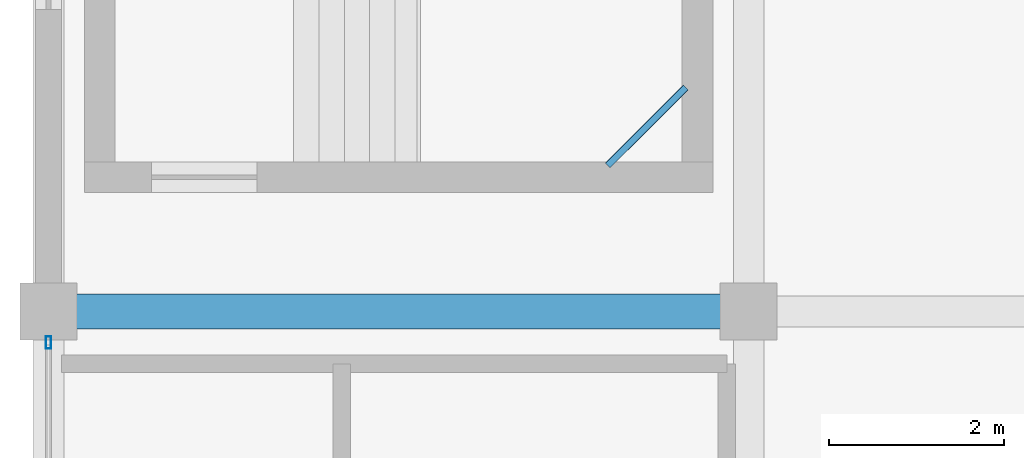
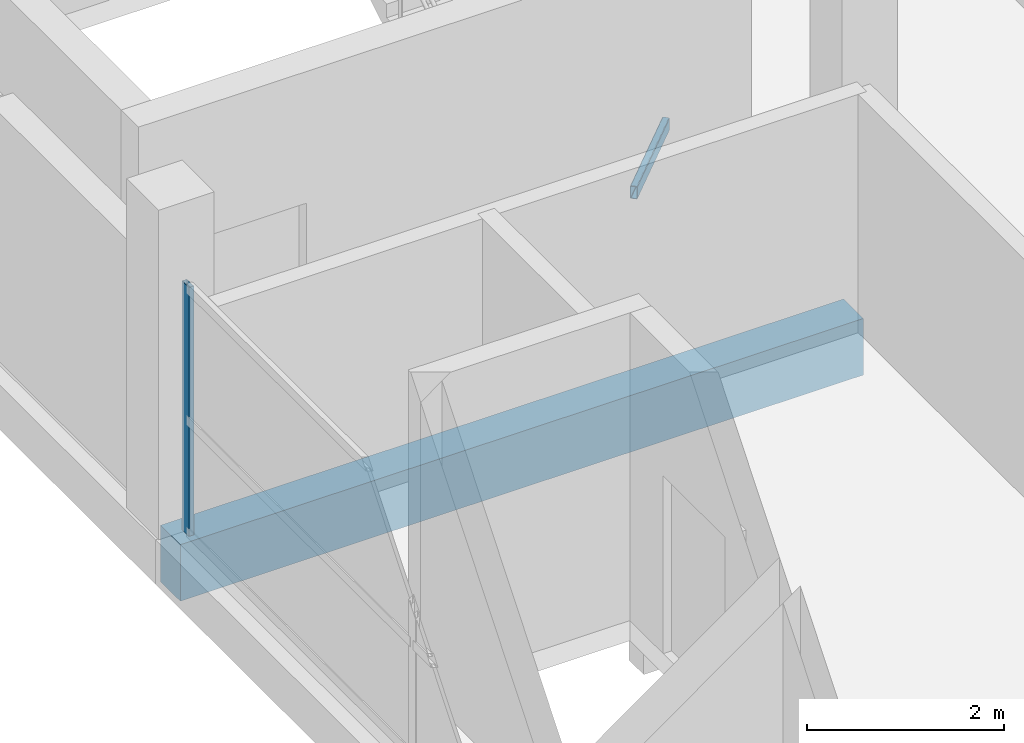
# One storey, part 26 of 53: 2 beams, 1 member, 1 element without a shape of its own.
"""IFC4 building model written with IfcOpenShell, lengths in metres."""

from ifc_helpers import new_model, si_unit, direction, frame, origin, origin_2d, place, context, subcontext, project, spatial, rectangle, hollow_rectangle, extrude, material, layer, layer_set, material_profile, profile_set, type_object, element, aggregate, save


model = new_model("IFC4")

# Units and contexts
model_context = context("Model", 3, precision=1e-05, world=origin(), true_north=direction((0.0, 1.0)))
body_context = subcontext(model_context, "Body", "Model", "MODEL_VIEW")
ifc_project = project(units=[si_unit("LENGTHUNIT", "METRE"), si_unit("AREAUNIT", "SQUARE_METRE"), si_unit("VOLUMEUNIT", "CUBIC_METRE"), si_unit("PLANEANGLEUNIT", "RADIAN"), si_unit("MASSUNIT", "GRAM", prefix="KILO")], contexts=[model_context])

# Site, building, storey
site_placement = place(None, origin())
site = spatial("IfcSite", under=ifc_project, at=site_placement, CompositionType="ELEMENT")
building_placement = place(site_placement, origin())
building = spatial("IfcBuilding", under=site, at=building_placement, Name="Sillaruma Civic Art Gallery", CompositionType="ELEMENT")
storey_placement = place(building_placement, frame((0.0, 0.0, 70.3798828125)))
storey = spatial("IfcBuildingStorey", under=building, at=storey_placement, Name="L14", CompositionType="ELEMENT", Elevation=70.3798828125)

# Beams
ifc_material_1 = material(Name="Concrete H35 (35 MPa)", Category="concrete")
ifc_material_profile_1 = material_profile(ifc_material_1, rectangle(XDim=0.39990234375, YDim=0.699951171875, at=origin_2d()), Name="RCB400x700")
ifc_profile_set_1 = profile_set([ifc_material_profile_1], Name="Concrete H35 (35 MPa)")
beam_type_1 = type_object("IfcBeamType", Name="BM-BEAM-RCB400x700", PredefinedType="BEAM", material=ifc_profile_set_1)
beam_1_placement = place(storey_placement, frame((62.0, 79.199951171875, -0.599853515625), z_axis=(1.0, 0.0, 0.0), x_axis=(0.0, 1.0, 0.0)))
element("IfcBeam", 1, at=beam_1_placement, inside=storey, type_object=beam_type_1, Name="Beam BM-04 (L13:9:F-G)", PredefinedType="BEAM", context=body_context, shape_type="SweptSolid", body=[
    extrude(rectangle(XDim=0.39990234375, YDim=0.699951171875, at=origin_2d()), origin(), (0.0, 0.0, 1.0), 8.0),
])
ifc_material_2 = material(Name="Structural Steel ASTM A500 Gr.C", Category="steel")
ifc_material_profile_2 = material_profile(ifc_material_2, hollow_rectangle(XDim=0.080078125, YDim=0.159912109375, WallThickness=0.008056640625, InnerFilletRadius=0.008056640625, OuterFilletRadius=0.01611328125, at=origin_2d()), Name="HSS160x80x8")
ifc_profile_set_2 = profile_set([ifc_material_profile_2], Name="Structural Steel ASTM A500 Gr.C")
beam_type_2 = type_object("IfcBeamType", Name="BM-LND-HSS160", PredefinedType="BEAM", material=ifc_profile_set_2)
beam_2_placement = place(storey_placement, frame((68.389892578125, 80.8701171875, 0.740234375), z_axis=(0.707203758046, 0.707009791025, 0.0), x_axis=(-0.707009791025, 0.707203758046, 0.0)))
element("IfcBeam", 2, at=beam_2_placement, inside=storey, type_object=beam_type_2, Name="Stair Corner Landing Trimmer Beam (ST-02-L14-1)", PredefinedType="BEAM", context=body_context, shape_type="SweptSolid", body=[
    extrude(hollow_rectangle(XDim=0.080078125, YDim=0.159912109375, WallThickness=0.008056640625, InnerFilletRadius=0.008056640625, OuterFilletRadius=0.01611328125, at=origin_2d()), origin(), (0.0, 0.0, 1.0), 1.2587890625),
])

# Curtain wall, member
ifc_material_3 = material(Name="Thermally Broken Extruded Aluminium 6063-T6", Category="aluminium")
ifc_layer = layer(ifc_material_3, 0.139892578125, Name="Thermally Broken Extruded Aluminium 6063-T6")
ifc_layer_set = layer_set([ifc_layer], Name="Thermally Broken Extruded Aluminium 6063-T6")
curtain_wall_type = type_object("IfcCurtainWallType", Name="CW-UNI-105", PredefinedType="NOTDEFINED", material=ifc_layer_set)
curtain_wall_placement = place(storey_placement, origin())
curtain_wall = element("IfcCurtainWall", 3, at=curtain_wall_placement, inside=storey, type_object=curtain_wall_type, Name="Unitised Curtain Wall CW-105 (CW-L14-WBW-6)", PredefinedType="NOTDEFINED")
ifc_material_profile_3 = material_profile(ifc_material_3, hollow_rectangle(XDim=0.06005859375, YDim=0.139892578125, WallThickness=0.00341796875, at=origin_2d()), Name="CWM60x140")
ifc_profile_set_3 = profile_set([ifc_material_profile_3], Name="Thermally Broken Extruded Aluminium 6063-T6")
member_type = type_object("IfcMemberType", Name="MEM-MUL-CWM60x140", PredefinedType="MULLION", material=ifc_profile_set_3)
member_placement = place(storey_placement, frame((62.0, 78.844970703125, 0.0), z_axis=(0.0, 0.0, 1.0), x_axis=(-1.0, 0.0, 0.0)))
member = element("IfcMember", 4, at=member_placement, type_object=member_type, Name="CW-105 mullion 3", PredefinedType="MULLION", context=body_context, shape_type="SweptSolid", body=[
    extrude(hollow_rectangle(XDim=0.06005859375, YDim=0.139892578125, WallThickness=0.00341796875, at=origin_2d()), origin(), (0.0, 0.0, 1.0), 3.080078125),
])
aggregate(curtain_wall, [member])

save(model, "model.ifc")
